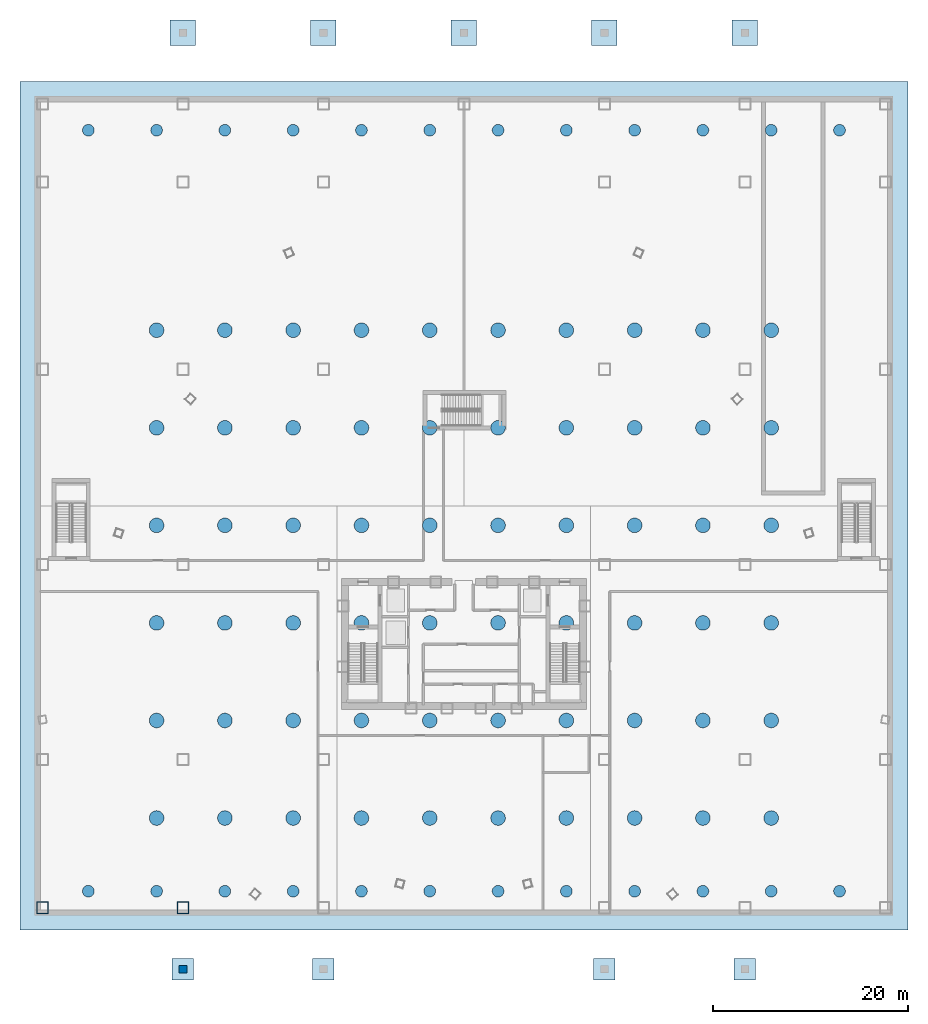
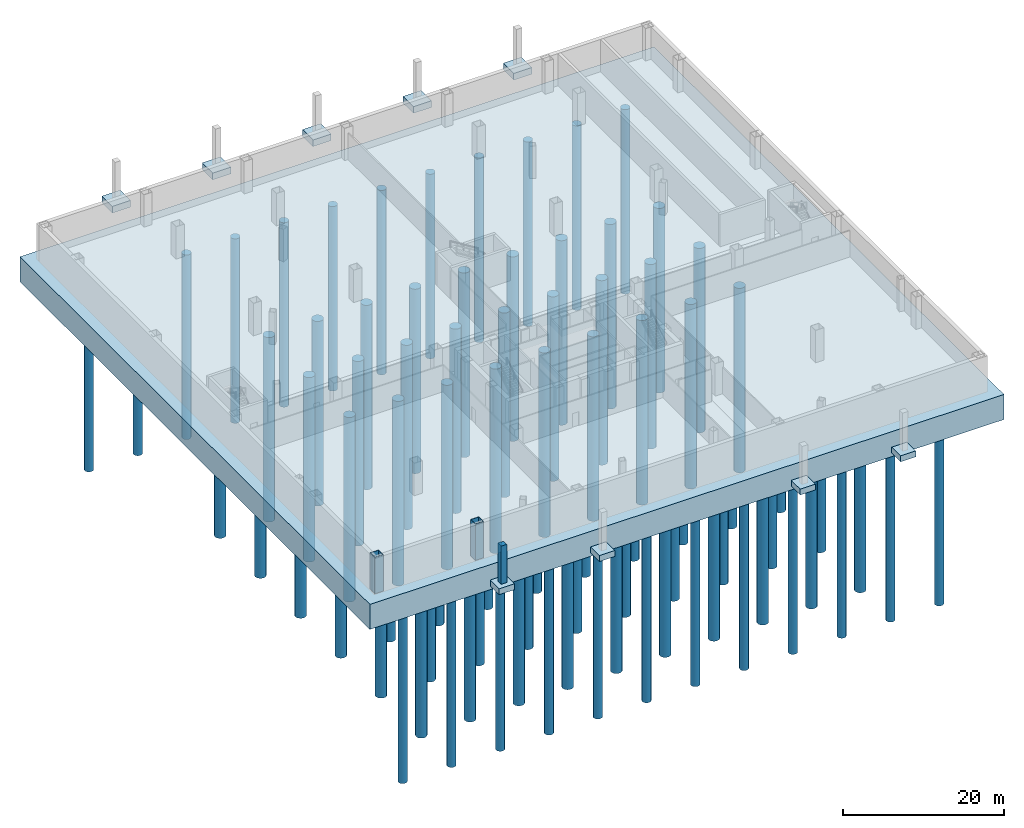
# One storey, part 1 of 15: 84 piles, 10 footings, 3 columns.
"""IFC4 building model written with IfcOpenShell, lengths in metres."""

from ifc_helpers import new_model, si_unit, direction, frame, origin, origin_2d, place, context, subcontext, project, spatial, polyline, rectangle, hollow_rectangle, circle, outline, extrude, source, transform, mapped, material, layer, layer_set, material_profile, profile_set, type_object, element, save


model = new_model("IFC4")

# Units and contexts
model_context = context("Model", 3, precision=1e-05, world=origin(), true_north=direction((0.0, 1.0)))
body_context = subcontext(model_context, "Body", "Model", "MODEL_VIEW")
ifc_project = project(units=[si_unit("LENGTHUNIT", "METRE"), si_unit("AREAUNIT", "SQUARE_METRE"), si_unit("VOLUMEUNIT", "CUBIC_METRE"), si_unit("PLANEANGLEUNIT", "RADIAN"), si_unit("MASSUNIT", "GRAM", prefix="KILO"), si_unit("THERMODYNAMICTEMPERATUREUNIT", "KELVIN"), si_unit("POWERUNIT", "WATT")], contexts=[model_context])

# Site, building, storey
site_placement = place(None, origin())
site = spatial("IfcSite", under=ifc_project, at=site_placement, CompositionType="ELEMENT")
building_placement = place(site_placement, origin())
building = spatial("IfcBuilding", under=site, at=building_placement, Name="Yunzhuo Pagoda Commons", CompositionType="ELEMENT")
storey_placement = place(building_placement, frame((0.0, 0.0, -10.0)))
storey = spatial("IfcBuildingStorey", under=building, at=storey_placement, Name="B02", CompositionType="ELEMENT", Elevation=-10.0)

# Footing
ifc_material_1 = material(Name="Concrete C50", Category="concrete")
ifc_layer_1 = layer(ifc_material_1, 3.800048828125)
ifc_layer_set_1 = layer_set([ifc_layer_1], Name="Concrete C50")
footing_type_1 = type_object("IfcFootingType", Name="FT-RAFT Waterproof Piled Raft 3800", PredefinedType="PILE_CAP", material=ifc_layer_set_1)
footing_placement = place(storey_placement, frame((0.0, 0.0, -4.39990234375)))
element("IfcFooting", 1, at=footing_placement, inside=storey, type_object=footing_type_1, Name="Waterproof C50 piled raft", PredefinedType="PILE_CAP", context=body_context, shape_type="SweptSolid", body=[
    extrude(outline(polyline([(2.5, 4.5), (93.5, 4.5), (93.5, 91.5), (2.5, 91.5), (2.5, 4.5)])), origin(), (0.0, 0.0, 1.0), 3.7998046875),
])

# Piles
ifc_material_profile_1 = material_profile(ifc_material_1, circle(Radius=0.75, at=origin_2d()), Name="Concrete C50")
ifc_profile_set_1 = profile_set([ifc_material_profile_1], Name="Concrete C50")
pile_type_1 = type_object("IfcPileType", Name="P-1500 Rock Socketed Bored Pile D1500", PredefinedType="BORED", material=ifc_profile_set_1)
shared_shape_1 = source(origin(), body_context, "Body", "SweptSolid", [
    extrude(circle(Radius=0.75, at=origin_2d()), origin(), (0.0, 0.0, 1.0), 28.0),
])
for number, where, z_axis, x_axis, name in (
    (2, (16.5, 16.0, -4.25), (0.0, 0.0, -1.0), (1.0, 0.0, 0.0), "Bored pile P-1500 #01"),
    (3, (16.5, 26.0, -4.25), (0.0, 0.0, -1.0), (1.0, 0.0, 0.0), "Bored pile P-1500 #02"),
    (4, (16.5, 36.0, -4.25), (0.0, 0.0, -1.0), (1.0, 0.0, 0.0), "Bored pile P-1500 #03"),
    (5, (16.5, 46.0, -4.25), (0.0, 0.0, -1.0), (1.0, 0.0, 0.0), "Bored pile P-1500 #04"),
    (6, (16.5, 56.0, -4.25), (0.0, 0.0, -1.0), (1.0, 0.0, 0.0), "Bored pile P-1500 #05"),
    (7, (16.5, 66.0, -4.25), (0.0, 0.0, -1.0), (1.0, 0.0, 0.0), "Bored pile P-1500 #06"),
    (8, (23.5, 16.0, -4.25), (0.0, 0.0, -1.0), (1.0, 0.0, 0.0), "Bored pile P-1500 #07"),
    (9, (23.5, 26.0, -4.25), (0.0, 0.0, -1.0), (1.0, 0.0, 0.0), "Bored pile P-1500 #08"),
    (10, (23.5, 36.0, -4.25), (0.0, 0.0, -1.0), (1.0, 0.0, 0.0), "Bored pile P-1500 #09"),
    (11, (23.5, 46.0, -4.25), (0.0, 0.0, -1.0), (1.0, 0.0, 0.0), "Bored pile P-1500 #10"),
    (12, (23.5, 56.0, -4.25), (0.0, 0.0, -1.0), (1.0, 0.0, 0.0), "Bored pile P-1500 #11"),
    (13, (23.5, 66.0, -4.25), (0.0, 0.0, -1.0), (1.0, 0.0, 0.0), "Bored pile P-1500 #12"),
    (14, (30.5, 16.0, -4.25), (0.0, 0.0, -1.0), (1.0, 0.0, 0.0), "Bored pile P-1500 #13"),
    (15, (30.5, 26.0, -4.25), (0.0, 0.0, -1.0), (1.0, 0.0, 0.0), "Bored pile P-1500 #14"),
    (16, (30.5, 36.0, -4.25), (0.0, 0.0, -1.0), (1.0, 0.0, 0.0), "Bored pile P-1500 #15"),
    (17, (30.5, 46.0, -4.25), (0.0, 0.0, -1.0), (1.0, 0.0, 0.0), "Bored pile P-1500 #16"),
    (18, (30.5, 56.0, -4.25), (0.0, 0.0, -1.0), (1.0, 0.0, 0.0), "Bored pile P-1500 #17"),
    (19, (30.5, 66.0, -4.25), (0.0, 0.0, -1.0), (1.0, 0.0, 0.0), "Bored pile P-1500 #18"),
    (20, (37.5, 16.0, -4.25), (0.0, 0.0, -1.0), (1.0, 0.0, 0.0), "Bored pile P-1500 #19"),
    (21, (37.5, 26.0, -4.25), (0.0, 0.0, -1.0), (1.0, 0.0, 0.0), "Bored pile P-1500 #20"),
    (22, (37.5, 36.0, -4.25), (0.0, 0.0, -1.0), (1.0, 0.0, 0.0), "Bored pile P-1500 #21"),
    (23, (37.5, 46.0, -4.25), (0.0, 0.0, -1.0), (1.0, 0.0, 0.0), "Bored pile P-1500 #22"),
    (24, (37.5, 56.0, -4.25), (0.0, 0.0, -1.0), (1.0, 0.0, 0.0), "Bored pile P-1500 #23"),
    (25, (37.5, 66.0, -4.25), (0.0, 0.0, -1.0), (1.0, 0.0, 0.0), "Bored pile P-1500 #24"),
    (26, (44.5, 16.0, -4.25), (0.0, 0.0, -1.0), (1.0, 0.0, 0.0), "Bored pile P-1500 #25"),
    (27, (44.5, 26.0, -4.25), (0.0, 0.0, -1.0), (1.0, 0.0, 0.0), "Bored pile P-1500 #26"),
    (28, (44.5, 36.0, -4.25), (0.0, 0.0, -1.0), (1.0, 0.0, 0.0), "Bored pile P-1500 #27"),
    (29, (44.5, 46.0, -4.25), (0.0, 0.0, -1.0), (1.0, 0.0, 0.0), "Bored pile P-1500 #28"),
    (30, (44.5, 56.0, -4.25), (0.0, 0.0, -1.0), (1.0, 0.0, 0.0), "Bored pile P-1500 #29"),
    (31, (44.5, 66.0, -4.25), (0.0, 0.0, -1.0), (1.0, 0.0, 0.0), "Bored pile P-1500 #30"),
    (32, (51.5, 16.0, -4.25), (0.0, 0.0, -1.0), (1.0, 0.0, 0.0), "Bored pile P-1500 #31"),
    (33, (51.5, 26.0, -4.25), (0.0, 0.0, -1.0), (1.0, 0.0, 0.0), "Bored pile P-1500 #32"),
    (34, (51.5, 36.0, -4.25), (0.0, 0.0, -1.0), (1.0, 0.0, 0.0), "Bored pile P-1500 #33"),
    (35, (51.5, 46.0, -4.25), (0.0, 0.0, -1.0), (1.0, 0.0, 0.0), "Bored pile P-1500 #34"),
    (36, (51.5, 56.0, -4.25), (0.0, 0.0, -1.0), (1.0, 0.0, 0.0), "Bored pile P-1500 #35"),
    (37, (51.5, 66.0, -4.25), (0.0, 0.0, -1.0), (1.0, 0.0, 0.0), "Bored pile P-1500 #36"),
    (38, (58.5, 16.0, -4.25), (0.0, 0.0, -1.0), (1.0, 0.0, 0.0), "Bored pile P-1500 #37"),
    (39, (58.5, 26.0, -4.25), (0.0, 0.0, -1.0), (1.0, 0.0, 0.0), "Bored pile P-1500 #38"),
    (40, (58.5, 36.0, -4.25), (0.0, 0.0, -1.0), (1.0, 0.0, 0.0), "Bored pile P-1500 #39"),
    (41, (58.5, 46.0, -4.25), (0.0, 0.0, -1.0), (1.0, 0.0, 0.0), "Bored pile P-1500 #40"),
    (42, (58.5, 56.0, -4.25), (0.0, 0.0, -1.0), (1.0, 0.0, 0.0), "Bored pile P-1500 #41"),
    (43, (58.5, 66.0, -4.25), (0.0, 0.0, -1.0), (1.0, 0.0, 0.0), "Bored pile P-1500 #42"),
    (44, (65.5, 16.0, -4.25), (0.0, 0.0, -1.0), (1.0, 0.0, 0.0), "Bored pile P-1500 #43"),
    (45, (65.5, 26.0, -4.25), (0.0, 0.0, -1.0), (1.0, 0.0, 0.0), "Bored pile P-1500 #44"),
    (46, (65.5, 36.0, -4.25), (0.0, 0.0, -1.0), (1.0, 0.0, 0.0), "Bored pile P-1500 #45"),
    (47, (65.5, 46.0, -4.25), (0.0, 0.0, -1.0), (1.0, 0.0, 0.0), "Bored pile P-1500 #46"),
    (48, (65.5, 56.0, -4.25), (0.0, 0.0, -1.0), (1.0, 0.0, 0.0), "Bored pile P-1500 #47"),
    (49, (65.5, 66.0, -4.25), (0.0, 0.0, -1.0), (1.0, 0.0, 0.0), "Bored pile P-1500 #48"),
    (50, (72.5, 16.0, -4.25), (0.0, 0.0, -1.0), (1.0, 0.0, 0.0), "Bored pile P-1500 #49"),
    (51, (72.5, 26.0, -4.25), (0.0, 0.0, -1.0), (1.0, 0.0, 0.0), "Bored pile P-1500 #50"),
    (52, (72.5, 36.0, -4.25), (0.0, 0.0, -1.0), (1.0, 0.0, 0.0), "Bored pile P-1500 #51"),
    (53, (72.5, 46.0, -4.25), (0.0, 0.0, -1.0), (1.0, 0.0, 0.0), "Bored pile P-1500 #52"),
    (54, (72.5, 56.0, -4.25), (0.0, 0.0, -1.0), (1.0, 0.0, 0.0), "Bored pile P-1500 #53"),
    (55, (72.5, 66.0, -4.25), (0.0, 0.0, -1.0), (1.0, 0.0, 0.0), "Bored pile P-1500 #54"),
    (56, (79.5, 16.0, -4.25), (0.0, 0.0, -1.0), (1.0, 0.0, 0.0), "Bored pile P-1500 #55"),
    (57, (79.5, 26.0, -4.25), (0.0, 0.0, -1.0), (1.0, 0.0, 0.0), "Bored pile P-1500 #56"),
    (58, (79.5, 36.0, -4.25), (0.0, 0.0, -1.0), (1.0, 0.0, 0.0), "Bored pile P-1500 #57"),
    (59, (79.5, 46.0, -4.25), (0.0, 0.0, -1.0), (1.0, 0.0, 0.0), "Bored pile P-1500 #58"),
    (60, (79.5, 56.0, -4.25), (0.0, 0.0, -1.0), (1.0, 0.0, 0.0), "Bored pile P-1500 #59"),
    (61, (79.5, 66.0, -4.25), (0.0, 0.0, -1.0), (1.0, 0.0, 0.0), "Bored pile P-1500 #60"),
):
    element("IfcPile", number, at=place(storey_placement, frame(where, z_axis=z_axis, x_axis=x_axis)), inside=storey, type_object=pile_type_1, Name=name, PredefinedType="BORED", context=body_context, shape_type="MappedRepresentation", body=[
        mapped(shared_shape_1, transform((0.0, 0.0, 0.0), scale=1.0)),
    ])
ifc_material_profile_2 = material_profile(ifc_material_1, circle(Radius=0.60009765625, at=origin_2d()), Name="Concrete C50")
ifc_profile_set_2 = profile_set([ifc_material_profile_2], Name="Concrete C50")
pile_type_2 = type_object("IfcPileType", Name="P-1200 Perimeter Support Pile D1200", PredefinedType="SUPPORT", material=ifc_profile_set_2)
shared_shape_2 = source(origin(), body_context, "Body", "SweptSolid", [
    extrude(circle(Radius=0.60009765625, at=origin_2d()), origin(), (0.0, 0.0, 1.0), 28.0),
])
for number, where, z_axis, x_axis, name in (
    (62, (9.5, 8.5, -4.25), (0.0, 0.0, -1.0), (1.0, 0.0, 0.0), "Support pile P-1200 #01"),
    (63, (16.5, 8.5, -4.25), (0.0, 0.0, -1.0), (1.0, 0.0, 0.0), "Support pile P-1200 #02"),
    (64, (23.5, 8.5, -4.25), (0.0, 0.0, -1.0), (1.0, 0.0, 0.0), "Support pile P-1200 #03"),
    (65, (30.5, 8.5, -4.25), (0.0, 0.0, -1.0), (1.0, 0.0, 0.0), "Support pile P-1200 #04"),
    (66, (37.5, 8.5, -4.25), (0.0, 0.0, -1.0), (1.0, 0.0, 0.0), "Support pile P-1200 #05"),
    (67, (44.5, 8.5, -4.25), (0.0, 0.0, -1.0), (1.0, 0.0, 0.0), "Support pile P-1200 #06"),
    (68, (51.5, 8.5, -4.25), (0.0, 0.0, -1.0), (1.0, 0.0, 0.0), "Support pile P-1200 #07"),
    (69, (58.5, 8.5, -4.25), (0.0, 0.0, -1.0), (1.0, 0.0, 0.0), "Support pile P-1200 #08"),
    (70, (65.5, 8.5, -4.25), (0.0, 0.0, -1.0), (1.0, 0.0, 0.0), "Support pile P-1200 #09"),
    (71, (72.5, 8.5, -4.25), (0.0, 0.0, -1.0), (1.0, 0.0, 0.0), "Support pile P-1200 #10"),
    (72, (79.5, 8.5, -4.25), (0.0, 0.0, -1.0), (1.0, 0.0, 0.0), "Support pile P-1200 #11"),
    (73, (86.5, 8.5, -4.25), (0.0, 0.0, -1.0), (1.0, 0.0, 0.0), "Support pile P-1200 #12"),
    (74, (9.5, 86.5, -4.25), (0.0, 0.0, -1.0), (1.0, 0.0, 0.0), "Support pile P-1200 #13"),
    (75, (16.5, 86.5, -4.25), (0.0, 0.0, -1.0), (1.0, 0.0, 0.0), "Support pile P-1200 #14"),
    (76, (23.5, 86.5, -4.25), (0.0, 0.0, -1.0), (1.0, 0.0, 0.0), "Support pile P-1200 #15"),
    (77, (30.5, 86.5, -4.25), (0.0, 0.0, -1.0), (1.0, 0.0, 0.0), "Support pile P-1200 #16"),
    (78, (37.5, 86.5, -4.25), (0.0, 0.0, -1.0), (1.0, 0.0, 0.0), "Support pile P-1200 #17"),
    (79, (44.5, 86.5, -4.25), (0.0, 0.0, -1.0), (1.0, 0.0, 0.0), "Support pile P-1200 #18"),
    (80, (51.5, 86.5, -4.25), (0.0, 0.0, -1.0), (1.0, 0.0, 0.0), "Support pile P-1200 #19"),
    (81, (58.5, 86.5, -4.25), (0.0, 0.0, -1.0), (1.0, 0.0, 0.0), "Support pile P-1200 #20"),
    (82, (65.5, 86.5, -4.25), (0.0, 0.0, -1.0), (1.0, 0.0, 0.0), "Support pile P-1200 #21"),
    (83, (72.5, 86.5, -4.25), (0.0, 0.0, -1.0), (1.0, 0.0, 0.0), "Support pile P-1200 #22"),
    (84, (79.5, 86.5, -4.25), (0.0, 0.0, -1.0), (1.0, 0.0, 0.0), "Support pile P-1200 #23"),
    (85, (86.5, 86.5, -4.25), (0.0, 0.0, -1.0), (1.0, 0.0, 0.0), "Support pile P-1200 #24"),
):
    element("IfcPile", number, at=place(storey_placement, frame(where, z_axis=z_axis, x_axis=x_axis)), inside=storey, type_object=pile_type_2, Name=name, PredefinedType="SUPPORT", context=body_context, shape_type="MappedRepresentation", body=[
        mapped(shared_shape_2, transform((0.0, 0.0, 0.0), scale=1.0)),
    ])

# Footings
ifc_material_2 = material(Name="Concrete C40", Category="concrete")
ifc_layer_2 = layer(ifc_material_2, 1.0)
ifc_layer_set_2 = layer_set([ifc_layer_2], Name="Concrete C40")
footing_type_2 = type_object("IfcFootingType", Name="FT-PAD1 Canopy Pad Footing 2600x2600x1000", PredefinedType="PAD_FOOTING", material=ifc_layer_set_2)
shared_shape_3 = source(origin(), body_context, "Body", "SweptSolid", [
    extrude(rectangle(XDim=2.60009765625, YDim=2.60009765625, at=origin_2d()), origin(), (0.0, 0.0, 1.0), 1.0),
])
for number, where, z_axis, x_axis, name in (
    (86, (19.199951171875, 96.5, -1.60009765625), (0.0, 0.0, 1.0), (1.0, 0.0, 0.0), "North waterfront canopy pad footing 1"),
    (87, (33.60009765625, 96.5, -1.60009765625), (0.0, 0.0, 1.0), (1.0, 0.0, 0.0), "North waterfront canopy pad footing 2"),
    (88, (48.0, 96.5, -1.60009765625), (0.0, 0.0, 1.0), (1.0, 0.0, 0.0), "North waterfront canopy pad footing 3"),
    (89, (62.39990234375, 96.5, -1.60009765625), (0.0, 0.0, 1.0), (1.0, 0.0, 0.0), "North waterfront canopy pad footing 4"),
    (90, (76.800048828125, 96.5, -1.60009765625), (0.0, 0.0, 1.0), (1.0, 0.0, 0.0), "North waterfront canopy pad footing 5"),
):
    element("IfcFooting", number, at=place(storey_placement, frame(where, z_axis=z_axis, x_axis=x_axis)), inside=storey, type_object=footing_type_2, Name=name, PredefinedType="PAD_FOOTING", context=body_context, shape_type="MappedRepresentation", body=[
        mapped(shared_shape_3, transform((0.0, 0.0, 0.0), scale=1.0)),
    ])
ifc_layer_3 = layer(ifc_material_2, 0.89990234375)
ifc_layer_set_3 = layer_set([ifc_layer_3], Name="Concrete C40")
footing_type_3 = type_object("IfcFootingType", Name="FT-PAD2 Entrance Pad Footing 2200x2200x900", PredefinedType="PAD_FOOTING", material=ifc_layer_set_3)
shared_shape_4 = source(origin(), body_context, "Body", "SweptSolid", [
    extrude(rectangle(XDim=2.199951171875, YDim=2.199951171875, at=origin_2d()), origin(), (0.0, 0.0, 1.0), 0.89990234375),
])
for number, where, z_axis, x_axis, name in (
    (91, (19.199951171875, 0.5, -1.5), (0.0, 0.0, 1.0), (1.0, 0.0, 0.0), "South entrance canopy pad footing 1"),
    (92, (33.60009765625, 0.5, -1.5), (0.0, 0.0, 1.0), (1.0, 0.0, 0.0), "South entrance canopy pad footing 2"),
    (93, (62.39990234375, 0.5, -1.5), (0.0, 0.0, 1.0), (1.0, 0.0, 0.0), "South entrance canopy pad footing 3"),
    (94, (76.800048828125, 0.5, -1.5), (0.0, 0.0, 1.0), (1.0, 0.0, 0.0), "South entrance canopy pad footing 4"),
):
    element("IfcFooting", number, at=place(storey_placement, frame(where, z_axis=z_axis, x_axis=x_axis)), inside=storey, type_object=footing_type_3, Name=name, PredefinedType="PAD_FOOTING", context=body_context, shape_type="MappedRepresentation", body=[
        mapped(shared_shape_4, transform((0.0, 0.0, 0.0), scale=1.0)),
    ])

# Columns
ifc_material_3 = material(Name="Structural steel Q420B", Category="steel")
ifc_material_profile_3 = material_profile(ifc_material_3, hollow_rectangle(XDim=1.199951171875, YDim=1.199951171875, WallThickness=0.050048828125, at=origin_2d()), Name="Structural steel Q420B")
ifc_profile_set_3 = profile_set([ifc_material_profile_3], Name="Structural steel Q420B")
column_type_1 = type_object("IfcColumnType", Name="C-POD Column BOX 1200x1200x50", PredefinedType="COLUMN", material=ifc_profile_set_3)
shared_shape_5 = source(origin(), body_context, "Body", "SweptSolid", [
    extrude(hollow_rectangle(XDim=1.199951171875, YDim=1.199951171875, WallThickness=0.050048828125, at=origin_2d()), origin(), (0.0, 0.0, 1.0), 5.5),
])
for number, where, z_axis, x_axis, name in (
    (95, (4.800048828125, 6.800048828125, -0.60009765625), (0.0, 0.0, 1.0), (1.0, 0.0, 0.0), "B02 podium column P1_1"),
    (96, (19.199951171875, 6.800048828125, -0.60009765625), (0.0, 0.0, 1.0), (1.0, 0.0, 0.0), "B02 podium column P2_1"),
):
    element("IfcColumn", number, at=place(storey_placement, frame(where, z_axis=z_axis, x_axis=x_axis)), inside=storey, type_object=column_type_1, Name=name, PredefinedType="COLUMN", context=body_context, shape_type="MappedRepresentation", body=[
        mapped(shared_shape_5, transform((0.0, 0.0, 0.0), scale=1.0)),
    ])
ifc_material_profile_4 = material_profile(ifc_material_1, rectangle(XDim=0.800048828125, YDim=0.800048828125, at=origin_2d()), Name="Concrete C50")
ifc_profile_set_4 = profile_set([ifc_material_profile_4], Name="Concrete C50")
column_type_2 = type_object("IfcColumnType", Name="C-PIL2 Pilaster RC 800x800", PredefinedType="PILASTER", material=ifc_profile_set_4)
shared_shape_6 = source(origin(), body_context, "Body", "SweptSolid", [
    extrude(rectangle(XDim=0.800048828125, YDim=0.800048828125, at=origin_2d()), origin(), (0.0, 0.0, 1.0), 5.800048828125),
])
column_placement = place(storey_placement, frame((19.199951171875, 0.5, -0.60009765625), z_axis=(0.0, 0.0, 1.0), x_axis=(1.0, 0.0, 0.0)))
element("IfcColumn", 97, at=column_placement, inside=storey, type_object=column_type_2, Name="South canopy foundation pier B02 S1", PredefinedType="PILASTER", context=body_context, shape_type="MappedRepresentation", body=[
    mapped(shared_shape_6, transform((0.0, 0.0, 0.0), scale=1.0)),
])

save(model, "model.ifc")
